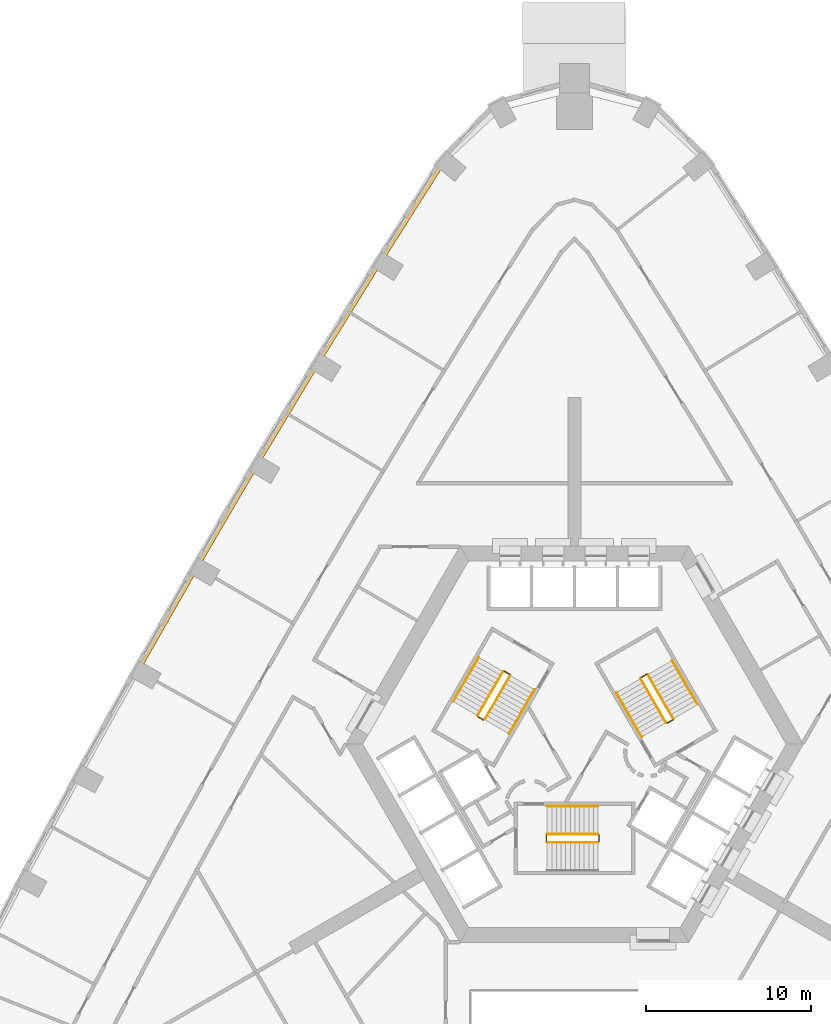
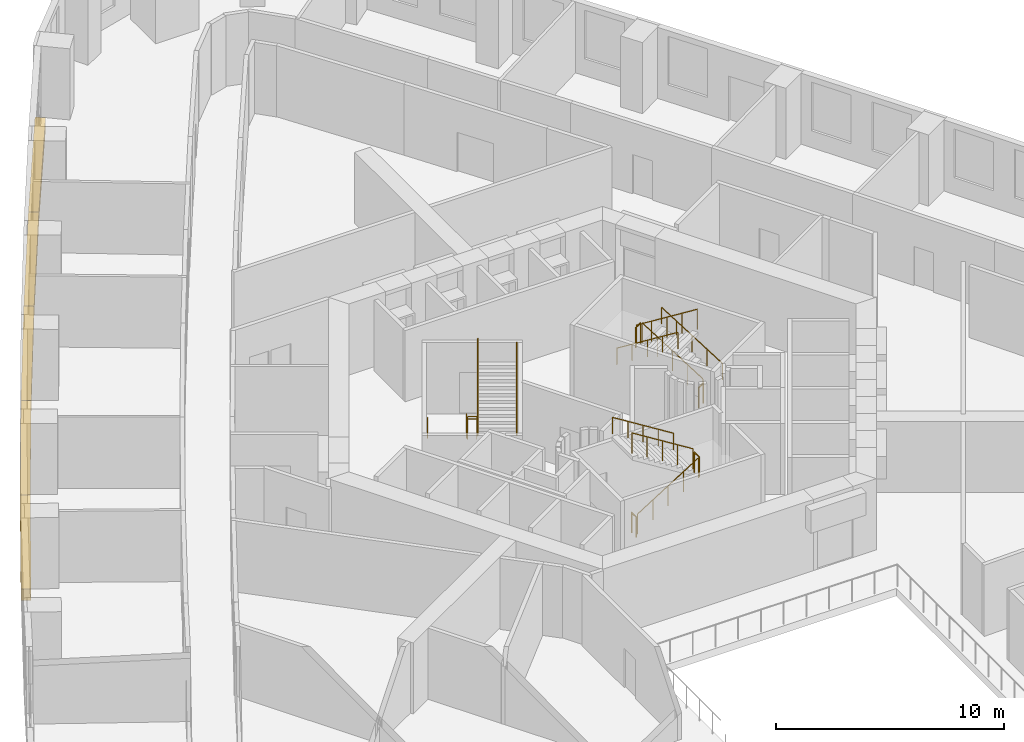
# One storey, part 14 of 15: 17 railings, 5 coverings.
"""IFC4 building model written with IfcOpenShell, lengths in metres."""

from ifc_helpers import new_model, si_unit, direction, frame, origin, origin_2d, place, context, subcontext, project, spatial, polyline, circle, outline, extrude, material, type_object, element, save


model = new_model("IFC4")

# Units and contexts
model_context = context("Model", 3, precision=1e-05, world=origin(), true_north=direction((0.0, 1.0)))
body_context = subcontext(model_context, "Body", "Model", "MODEL_VIEW")
ifc_project = project(units=[si_unit("LENGTHUNIT", "METRE"), si_unit("AREAUNIT", "SQUARE_METRE"), si_unit("VOLUMEUNIT", "CUBIC_METRE"), si_unit("PLANEANGLEUNIT", "RADIAN"), si_unit("MASSUNIT", "GRAM", prefix="KILO")], contexts=[model_context])

# Site, building, storey
site_placement = place(None, origin())
site = spatial("IfcSite", under=ifc_project, at=site_placement, CompositionType="ELEMENT")
building_placement = place(site_placement, origin())
building = spatial("IfcBuilding", under=site, at=building_placement, Name="Entoto Arch Interchange Tower", CompositionType="ELEMENT")
storey_placement = place(building_placement, frame((0.0, 0.0, 99.199951171875)))
storey = spatial("IfcBuildingStorey", under=building, at=storey_placement, Name="L21", CompositionType="ELEMENT", Elevation=99.199951171875)

# Coverings
ifc_material_1 = material(Name="Board-marked precast concrete C50/60", Category="concrete")
covering_type = type_object("IfcCoveringType", Name="PRECAST LEDGE COURSE", PredefinedType="CLADDING", material=ifc_material_1)
covering_1_placement = place(storey_placement, frame((0.0, 0.0, -1.0)))
element("IfcCovering", 1, at=covering_1_placement, inside=storey, type_object=covering_type, Name="Precast course NW-01 L21", PredefinedType="CLADDING", context=body_context, shape_type="SweptSolid", body=[
    extrude(outline(polyline([(-11.653076171875, 31.658935546875), (-12.0458984375, 31.905029296875), (-8.1689453125, 38.044921875), (-7.802001953125, 37.740966796875), (-11.653076171875, 31.658935546875)])), origin(), (0.0, 0.0, 1.0), 0.60009765625),
])
covering_2_placement = place(storey_placement, frame((0.0, 0.0, -1.0)))
element("IfcCovering", 2, at=covering_2_placement, inside=storey, type_object=covering_type, Name="Precast course NW-02 L21", PredefinedType="CLADDING", context=body_context, shape_type="SweptSolid", body=[
    extrude(outline(polyline([(-15.43310546875, 25.532958984375), (-15.822021484375, 25.77001953125), (-12.0458984375, 31.905029296875), (-11.653076171875, 31.658935546875), (-15.43310546875, 25.532958984375)])), origin(), (0.0, 0.0, 1.0), 0.60009765625),
])
covering_3_placement = place(storey_placement, frame((0.0, 0.0, -1.0)))
element("IfcCovering", 3, at=covering_3_placement, inside=storey, type_object=covering_type, Name="Precast course NW-03 L21", PredefinedType="CLADDING", context=body_context, shape_type="SweptSolid", body=[
    extrude(outline(polyline([(-19.14111328125, 19.363037109375), (-19.529052734375, 19.593017578125), (-15.822021484375, 25.77001953125), (-15.43310546875, 25.532958984375), (-19.14111328125, 19.363037109375)])), origin(), (0.0, 0.0, 1.0), 0.60009765625),
])
covering_4_placement = place(storey_placement, frame((0.0, 0.0, -1.0)))
element("IfcCovering", 4, at=covering_4_placement, inside=storey, type_object=covering_type, Name="Precast course NW-04 L21", PredefinedType="CLADDING", context=body_context, shape_type="SweptSolid", body=[
    extrude(outline(polyline([(-22.77587890625, 13.14990234375), (-23.166015625, 13.375), (-19.529052734375, 19.593017578125), (-19.14111328125, 19.363037109375), (-22.77587890625, 13.14990234375)])), origin(), (0.0, 0.0, 1.0), 0.60009765625),
])
covering_5_placement = place(storey_placement, frame((0.0, 0.0, -1.0)))
element("IfcCovering", 5, at=covering_5_placement, inside=storey, type_object=covering_type, Name="Precast course NW-05 L21", PredefinedType="CLADDING", context=body_context, shape_type="SweptSolid", body=[
    extrude(outline(polyline([(-26.339111328125, 6.89501953125), (-26.73291015625, 7.115966796875), (-23.166015625, 13.375), (-22.77587890625, 13.14990234375), (-26.339111328125, 6.89501953125)])), origin(), (0.0, 0.0, 1.0), 0.60009765625),
])

# Railings
ifc_material_2 = material(Name="Stainless steel 1.4301", Category="steel")
railing_type_1 = type_object("IfcRailingType", Name="STAIR GUARD 1100 STEEL", PredefinedType="GUARDRAIL", material=ifc_material_2)
railing_1_placement = place(storey_placement, frame((-1.64990234375, -3.449951171875, 0.175048828125)))
element("IfcRailing", 6, at=railing_1_placement, inside=storey, type_object=railing_type_1, Name="L21 ST-S stair guard 1", PredefinedType="GUARDRAIL", context=body_context, shape_type="SweptSolid", body=[
    extrude(circle(Radius=0.02392578125, at=origin_2d()), frame((0.0, 0.0, 1.076171875), z_axis=(0.847979421464, 0.0, 0.530029150871), x_axis=(0.0, 1.0, 0.0)), (0.0, 0.0, 1.0), 3.632080078125),
    extrude(circle(Radius=0.02099609375, at=origin_2d()), origin(), (0.0, 0.0, 1.0), 1.052001953125),
    extrude(circle(Radius=0.02099609375, at=origin_2d()), frame((0.77001953125, 0.0, 0.481201171875)), (0.0, 0.0, 1.0), 1.052001953125),
    extrude(circle(Radius=0.02099609375, at=origin_2d()), frame((1.5400390625, 0.0, 0.96240234375)), (0.0, 0.0, 1.0), 1.052001953125),
    extrude(circle(Radius=0.02099609375, at=origin_2d()), frame((2.309814453125, 0.0, 1.44384765625)), (0.0, 0.0, 1.0), 1.052001953125),
    extrude(circle(Radius=0.02099609375, at=origin_2d()), frame((3.079833984375, 0.0, 1.925048828125)), (0.0, 0.0, 1.0), 1.052001953125),
])
railing_2_placement = place(storey_placement, frame((1.47998046875, -3.39990234375, 2.10009765625)))
element("IfcRailing", 7, at=railing_2_placement, inside=storey, type_object=railing_type_1, Name="L21 ST-S stair guard 2", PredefinedType="GUARDRAIL", context=body_context, shape_type="SweptSolid", body=[
    extrude(circle(Radius=0.02392578125, at=origin_2d()), frame((0.0, 0.0, 1.076171875), z_axis=(0.0, 1.0, 0.0), x_axis=(-1.0, 0.0, 0.0)), (0.0, 0.0, 1.0), 0.39990234375),
    extrude(circle(Radius=0.02099609375, at=origin_2d()), origin(), (0.0, 0.0, 1.0), 1.052001953125),
    extrude(circle(Radius=0.02099609375, at=origin_2d()), frame((0.0, 0.39990234375, 0.0)), (0.0, 0.0, 1.0), 1.052001953125),
])
railing_3_placement = place(storey_placement, frame((1.429931640625, -2.949951171875, 2.275146484375)))
element("IfcRailing", 8, at=railing_3_placement, inside=storey, type_object=railing_type_1, Name="L21 ST-S stair guard 3", PredefinedType="GUARDRAIL", context=body_context, shape_type="SweptSolid", body=[
    extrude(circle(Radius=0.02392578125, at=origin_2d()), frame((0.0, 0.0, 1.076171875), z_axis=(-0.848009633417, 0.0, 0.529980812513), x_axis=(0.0, -1.0, 0.0)), (0.0, 0.0, 1.0), 3.6318359375),
    extrude(circle(Radius=0.02099609375, at=origin_2d()), origin(), (0.0, 0.0, 1.0), 1.052001953125),
    extrude(circle(Radius=0.02099609375, at=origin_2d()), frame((-0.77001953125, 0.0, 0.481201171875)), (0.0, 0.0, 1.0), 1.052001953125),
    extrude(circle(Radius=0.02099609375, at=origin_2d()), frame((-1.5400390625, 0.0, 0.96240234375)), (0.0, 0.0, 1.0), 1.052001953125),
    extrude(circle(Radius=0.02099609375, at=origin_2d()), frame((-2.309814453125, 0.0, 1.443603515625)), (0.0, 0.0, 1.0), 1.052001953125),
    extrude(circle(Radius=0.02099609375, at=origin_2d()), frame((-3.079833984375, 0.0, 1.9248046875)), (0.0, 0.0, 1.0), 1.052001953125),
])
railing_4_placement = place(storey_placement, frame((-1.699951171875, -3.39990234375, 0.0)))
element("IfcRailing", 9, at=railing_4_placement, inside=storey, type_object=railing_type_1, Name="L21 ST-S stair guard 4", PredefinedType="GUARDRAIL", context=body_context, shape_type="SweptSolid", body=[
    extrude(circle(Radius=0.02392578125, at=origin_2d()), frame((0.0, 0.0, 1.076171875), z_axis=(0.0, 1.0, 0.0), x_axis=(-1.0, 0.0, 0.0)), (0.0, 0.0, 1.0), 0.39990234375),
    extrude(circle(Radius=0.02099609375, at=origin_2d()), origin(), (0.0, 0.0, 1.0), 1.052001953125),
    extrude(circle(Radius=0.02099609375, at=origin_2d()), frame((0.0, 0.39990234375, 0.0)), (0.0, 0.0, 1.0), 1.052001953125),
])
railing_5_placement = place(storey_placement, frame((5.977783203125, 4.046142578125, 0.175048828125)))
element("IfcRailing", 10, at=railing_5_placement, inside=storey, type_object=railing_type_1, Name="L21 ST-NE stair guard 1", PredefinedType="GUARDRAIL", context=body_context, shape_type="SweptSolid", body=[
    extrude(circle(Radius=0.02392578125, at=origin_2d()), frame((0.0, 0.0, 1.076171875), z_axis=(-0.424015404183, 0.734364028329, 0.530019255228), x_axis=(-0.866010015463, -0.500026652407, 0.0)), (0.0, 0.0, 1.0), 3.632080078125),
    extrude(circle(Radius=0.02099609375, at=origin_2d()), origin(), (0.0, 0.0, 1.0), 1.052001953125),
    extrude(circle(Radius=0.02099609375, at=origin_2d()), frame((-0.385009765625, 0.666748046875, 0.481201171875)), (0.0, 0.0, 1.0), 1.052001953125),
    extrude(circle(Radius=0.02099609375, at=origin_2d()), frame((-0.77001953125, 1.33349609375, 0.96240234375)), (0.0, 0.0, 1.0), 1.052001953125),
    extrude(circle(Radius=0.02099609375, at=origin_2d()), frame((-1.155029296875, 2.00048828125, 1.44384765625)), (0.0, 0.0, 1.0), 1.052001953125),
    extrude(circle(Radius=0.02099609375, at=origin_2d()), frame((-1.5400390625, 2.667236328125, 1.925048828125)), (0.0, 0.0, 1.0), 1.052001953125),
])
railing_6_placement = place(storey_placement, frame((4.36962890625, 6.731689453125, 2.10009765625)))
element("IfcRailing", 11, at=railing_6_placement, inside=storey, type_object=railing_type_1, Name="L21 ST-NE stair guard 2", PredefinedType="GUARDRAIL", context=body_context, shape_type="SweptSolid", body=[
    extrude(circle(Radius=0.02392578125, at=origin_2d()), frame((0.0, 0.0, 1.076171875), z_axis=(-0.866094119867, -0.499880961361, 0.0), x_axis=(0.499880961361, -0.866094119867, 0.0)), (0.0, 0.0, 1.0), 0.39990234375),
    extrude(circle(Radius=0.02099609375, at=origin_2d()), origin(), (0.0, 0.0, 1.0), 1.052001953125),
    extrude(circle(Radius=0.02099609375, at=origin_2d()), frame((-0.346435546875, -0.199951171875, 0.0)), (0.0, 0.0, 1.0), 1.052001953125),
])
railing_7_placement = place(storey_placement, frame((4.0048828125, 6.46337890625, 2.275146484375)))
element("IfcRailing", 12, at=railing_7_placement, inside=storey, type_object=railing_type_1, Name="L21 ST-NE stair guard 3", PredefinedType="GUARDRAIL", context=body_context, shape_type="SweptSolid", body=[
    extrude(circle(Radius=0.02392578125, at=origin_2d()), frame((0.0, 0.0, 1.076171875), z_axis=(0.42403051051, -0.734390191396, 0.529970917068), x_axis=(0.866010015463, 0.500026652407, 0.0)), (0.0, 0.0, 1.0), 3.6318359375),
    extrude(circle(Radius=0.02099609375, at=origin_2d()), origin(), (0.0, 0.0, 1.0), 1.052001953125),
    extrude(circle(Radius=0.02099609375, at=origin_2d()), frame((0.385009765625, -0.666748046875, 0.481201171875)), (0.0, 0.0, 1.0), 1.052001953125),
    extrude(circle(Radius=0.02099609375, at=origin_2d()), frame((0.77001953125, -1.33349609375, 0.96240234375)), (0.0, 0.0, 1.0), 1.052001953125),
    extrude(circle(Radius=0.02099609375, at=origin_2d()), frame((1.155029296875, -2.00048828125, 1.443603515625)), (0.0, 0.0, 1.0), 1.052001953125),
    extrude(circle(Radius=0.02099609375, at=origin_2d()), frame((1.5400390625, -2.667236328125, 1.9248046875)), (0.0, 0.0, 1.0), 1.052001953125),
])
railing_8_placement = place(storey_placement, frame((5.95947265625, 3.977783203125, 0.0)))
element("IfcRailing", 13, at=railing_8_placement, inside=storey, type_object=railing_type_1, Name="L21 ST-NE stair guard 4", PredefinedType="GUARDRAIL", context=body_context, shape_type="SweptSolid", body=[
    extrude(circle(Radius=0.02392578125, at=origin_2d()), frame((0.0, 0.0, 1.076171875), z_axis=(-0.866094119867, -0.499880961361, 0.0), x_axis=(0.499880961361, -0.866094119867, 0.0)), (0.0, 0.0, 1.0), 0.39990234375),
    extrude(circle(Radius=0.02099609375, at=origin_2d()), origin(), (0.0, 0.0, 1.0), 1.052001953125),
    extrude(circle(Radius=0.02099609375, at=origin_2d()), frame((-0.346435546875, -0.199951171875, 0.0)), (0.0, 0.0, 1.0), 1.052001953125),
])
railing_9_placement = place(storey_placement, frame((-4.327880859375, 6.904052734375, 0.175048828125)))
element("IfcRailing", 14, at=railing_9_placement, inside=storey, type_object=railing_type_1, Name="L21 ST-NW stair guard 1", PredefinedType="GUARDRAIL", context=body_context, shape_type="SweptSolid", body=[
    extrude(circle(Radius=0.02392578125, at=origin_2d()), frame((0.0, 0.0, 1.076171875), z_axis=(-0.423994474112, -0.734394994316, 0.52999309264), x_axis=(0.866029832698, -0.499992328818, 0.0)), (0.0, 0.0, 1.0), 3.63232421875),
    extrude(circle(Radius=0.02099609375, at=origin_2d()), origin(), (0.0, 0.0, 1.0), 1.052001953125),
    extrude(circle(Radius=0.02099609375, at=origin_2d()), frame((-0.385009765625, -0.6669921875, 0.481201171875)), (0.0, 0.0, 1.0), 1.052001953125),
    extrude(circle(Radius=0.02099609375, at=origin_2d()), frame((-0.77001953125, -1.333740234375, 0.96240234375)), (0.0, 0.0, 1.0), 1.052001953125),
    extrude(circle(Radius=0.02099609375, at=origin_2d()), frame((-1.155029296875, -2.00048828125, 1.44384765625)), (0.0, 0.0, 1.0), 1.052001953125),
    extrude(circle(Radius=0.02099609375, at=origin_2d()), frame((-1.5400390625, -2.66748046875, 1.925048828125)), (0.0, 0.0, 1.0), 1.052001953125),
])
railing_10_placement = place(storey_placement, frame((-5.849609375, 4.168212890625, 2.10009765625)))
element("IfcRailing", 15, at=railing_10_placement, inside=storey, type_object=railing_type_1, Name="L21 ST-NW stair guard 2", PredefinedType="GUARDRAIL", context=body_context, shape_type="SweptSolid", body=[
    extrude(circle(Radius=0.02392578125, at=origin_2d()), frame((0.0, 0.0, 1.076171875), z_axis=(0.866094119867, -0.499880961361, 0.0), x_axis=(0.499880961361, 0.866094119867, 0.0)), (0.0, 0.0, 1.0), 0.39990234375),
    extrude(circle(Radius=0.02099609375, at=origin_2d()), origin(), (0.0, 0.0, 1.0), 1.052001953125),
    extrude(circle(Radius=0.02099609375, at=origin_2d()), frame((0.346435546875, -0.199951171875, 0.0)), (0.0, 0.0, 1.0), 1.052001953125),
])
railing_11_placement = place(storey_placement, frame((-5.434814453125, 3.986572265625, 2.275146484375)))
element("IfcRailing", 16, at=railing_11_placement, inside=storey, type_object=railing_type_1, Name="L21 ST-NW stair guard 3", PredefinedType="GUARDRAIL", context=body_context, shape_type="SweptSolid", body=[
    extrude(circle(Radius=0.02392578125, at=origin_2d()), frame((0.0, 0.0, 1.076171875), z_axis=(0.424009578203, 0.734421155904, 0.529944755001), x_axis=(-0.866029832698, 0.499992328818, 0.0)), (0.0, 0.0, 1.0), 3.632080078125),
    extrude(circle(Radius=0.02099609375, at=origin_2d()), origin(), (0.0, 0.0, 1.0), 1.052001953125),
    extrude(circle(Radius=0.02099609375, at=origin_2d()), frame((0.385009765625, 0.6669921875, 0.481201171875)), (0.0, 0.0, 1.0), 1.052001953125),
    extrude(circle(Radius=0.02099609375, at=origin_2d()), frame((0.77001953125, 1.333740234375, 0.96240234375)), (0.0, 0.0, 1.0), 1.052001953125),
    extrude(circle(Radius=0.02099609375, at=origin_2d()), frame((1.155029296875, 2.00048828125, 1.443603515625)), (0.0, 0.0, 1.0), 1.052001953125),
    extrude(circle(Radius=0.02099609375, at=origin_2d()), frame((1.5400390625, 2.66748046875, 1.9248046875)), (0.0, 0.0, 1.0), 1.052001953125),
])
railing_12_placement = place(storey_placement, frame((-4.259521484375, 6.92236328125, 0.0)))
element("IfcRailing", 17, at=railing_12_placement, inside=storey, type_object=railing_type_1, Name="L21 ST-NW stair guard 4", PredefinedType="GUARDRAIL", context=body_context, shape_type="SweptSolid", body=[
    extrude(circle(Radius=0.02392578125, at=origin_2d()), frame((0.0, 0.0, 1.076171875), z_axis=(0.865829829939, -0.500338590944, 0.0), x_axis=(0.500338590944, 0.865829829939, 0.0)), (0.0, 0.0, 1.0), 0.400146484375),
    extrude(circle(Radius=0.02099609375, at=origin_2d()), origin(), (0.0, 0.0, 1.0), 1.052001953125),
    extrude(circle(Radius=0.02099609375, at=origin_2d()), frame((0.346435546875, -0.2001953125, 0.0)), (0.0, 0.0, 1.0), 1.052001953125),
])
railing_type_2 = type_object("IfcRailingType", Name="STAIR HANDRAIL 900 STEEL", PredefinedType="HANDRAIL", material=ifc_material_2)
railing_13_placement = place(storey_placement, frame((1.429931640625, -1.25, 2.275146484375)))
element("IfcRailing", 18, at=railing_13_placement, inside=storey, type_object=railing_type_2, Name="L21 ST-S stair handrail 2", PredefinedType="HANDRAIL", context=body_context, shape_type="SweptSolid", body=[
    extrude(circle(Radius=0.02392578125, at=origin_2d()), frame((0.0, 0.0, 0.8759765625), z_axis=(-0.848009633417, 0.0, 0.529980812513), x_axis=(0.0, -1.0, 0.0)), (0.0, 0.0, 1.0), 3.6318359375),
    extrude(circle(Radius=0.02099609375, at=origin_2d()), origin(), (0.0, 0.0, 1.0), 0.851806640625),
    extrude(circle(Radius=0.02099609375, at=origin_2d()), frame((-0.77001953125, 0.0, 0.481201171875)), (0.0, 0.0, 1.0), 0.851806640625),
    extrude(circle(Radius=0.02099609375, at=origin_2d()), frame((-1.5400390625, 0.0, 0.96240234375)), (0.0, 0.0, 1.0), 0.851806640625),
    extrude(circle(Radius=0.02099609375, at=origin_2d()), frame((-2.309814453125, 0.0, 1.443603515625)), (0.0, 0.0, 1.0), 0.851806640625),
    extrude(circle(Radius=0.02099609375, at=origin_2d()), frame((-3.079833984375, 0.0, 1.9248046875)), (0.0, 0.0, 1.0), 0.851806640625),
])
railing_14_placement = place(storey_placement, frame((7.4501953125, 4.89599609375, 0.175048828125)))
element("IfcRailing", 19, at=railing_14_placement, inside=storey, type_object=railing_type_2, Name="L21 ST-NE stair handrail 1", PredefinedType="HANDRAIL", context=body_context, shape_type="SweptSolid", body=[
    extrude(circle(Radius=0.02392578125, at=origin_2d()), frame((0.0, 0.0, 0.8759765625), z_axis=(-0.423994474112, 0.734394994316, 0.52999309264), x_axis=(-0.866029832698, -0.499992328818, 0.0)), (0.0, 0.0, 1.0), 3.63232421875),
    extrude(circle(Radius=0.02099609375, at=origin_2d()), origin(), (0.0, 0.0, 1.0), 0.851806640625),
    extrude(circle(Radius=0.02099609375, at=origin_2d()), frame((-0.385009765625, 0.6669921875, 0.481201171875)), (0.0, 0.0, 1.0), 0.851806640625),
    extrude(circle(Radius=0.02099609375, at=origin_2d()), frame((-0.77001953125, 1.333740234375, 0.96240234375)), (0.0, 0.0, 1.0), 0.851806640625),
    extrude(circle(Radius=0.02099609375, at=origin_2d()), frame((-1.155029296875, 2.00048828125, 1.44384765625)), (0.0, 0.0, 1.0), 0.851806640625),
    extrude(circle(Radius=0.02099609375, at=origin_2d()), frame((-1.5400390625, 2.66748046875, 1.925048828125)), (0.0, 0.0, 1.0), 0.851806640625),
])
railing_15_placement = place(storey_placement, frame((2.53271484375, 5.613525390625, 2.275146484375)))
element("IfcRailing", 20, at=railing_15_placement, inside=storey, type_object=railing_type_2, Name="L21 ST-NE stair handrail 2", PredefinedType="HANDRAIL", context=body_context, shape_type="SweptSolid", body=[
    extrude(circle(Radius=0.02392578125, at=origin_2d()), frame((0.0, 0.0, 0.8759765625), z_axis=(0.423954442778, -0.734442086855, 0.52995985839), x_axis=(0.866064153644, 0.499932877268, 0.0)), (0.0, 0.0, 1.0), 3.632080078125),
    extrude(circle(Radius=0.02099609375, at=origin_2d()), origin(), (0.0, 0.0, 1.0), 0.851806640625),
    extrude(circle(Radius=0.02099609375, at=origin_2d()), frame((0.385009765625, -0.6669921875, 0.481201171875)), (0.0, 0.0, 1.0), 0.851806640625),
    extrude(circle(Radius=0.02099609375, at=origin_2d()), frame((0.77001953125, -1.333740234375, 0.96240234375)), (0.0, 0.0, 1.0), 0.851806640625),
    extrude(circle(Radius=0.02099609375, at=origin_2d()), frame((1.15478515625, -2.00048828125, 1.443603515625)), (0.0, 0.0, 1.0), 0.851806640625),
    extrude(circle(Radius=0.02099609375, at=origin_2d()), frame((1.539794921875, -2.66748046875, 1.9248046875)), (0.0, 0.0, 1.0), 0.851806640625),
])
railing_16_placement = place(storey_placement, frame((-5.800048828125, 7.75390625, 0.175048828125)))
element("IfcRailing", 21, at=railing_16_placement, inside=storey, type_object=railing_type_2, Name="L21 ST-NW stair handrail 1", PredefinedType="HANDRAIL", context=body_context, shape_type="SweptSolid", body=[
    extrude(circle(Radius=0.02392578125, at=origin_2d()), frame((0.0, 0.0, 0.8759765625), z_axis=(-0.424015404183, -0.734364028329, 0.530019255228), x_axis=(0.866010015463, -0.500026652407, 0.0)), (0.0, 0.0, 1.0), 3.632080078125),
    extrude(circle(Radius=0.02099609375, at=origin_2d()), origin(), (0.0, 0.0, 1.0), 0.851806640625),
    extrude(circle(Radius=0.02099609375, at=origin_2d()), frame((-0.385009765625, -0.666748046875, 0.481201171875)), (0.0, 0.0, 1.0), 0.851806640625),
    extrude(circle(Radius=0.02099609375, at=origin_2d()), frame((-0.77001953125, -1.33349609375, 0.96240234375)), (0.0, 0.0, 1.0), 0.851806640625),
    extrude(circle(Radius=0.02099609375, at=origin_2d()), frame((-1.155029296875, -2.00048828125, 1.44384765625)), (0.0, 0.0, 1.0), 0.851806640625),
    extrude(circle(Radius=0.02099609375, at=origin_2d()), frame((-1.5400390625, -2.667236328125, 1.925048828125)), (0.0, 0.0, 1.0), 0.851806640625),
])
railing_17_placement = place(storey_placement, frame((-3.962646484375, 3.136474609375, 2.275146484375)))
element("IfcRailing", 22, at=railing_17_placement, inside=storey, type_object=railing_type_2, Name="L21 ST-NW stair handrail 2", PredefinedType="HANDRAIL", context=body_context, shape_type="SweptSolid", body=[
    extrude(circle(Radius=0.02392578125, at=origin_2d()), frame((0.0, 0.0, 0.8759765625), z_axis=(0.424009578203, 0.734421155904, 0.529944755001), x_axis=(-0.866029832698, 0.499992328818, 0.0)), (0.0, 0.0, 1.0), 3.632080078125),
    extrude(circle(Radius=0.02099609375, at=origin_2d()), origin(), (0.0, 0.0, 1.0), 0.851806640625),
    extrude(circle(Radius=0.02099609375, at=origin_2d()), frame((0.385009765625, 0.6669921875, 0.481201171875)), (0.0, 0.0, 1.0), 0.851806640625),
    extrude(circle(Radius=0.02099609375, at=origin_2d()), frame((0.77001953125, 1.333740234375, 0.96240234375)), (0.0, 0.0, 1.0), 0.851806640625),
    extrude(circle(Radius=0.02099609375, at=origin_2d()), frame((1.155029296875, 2.00048828125, 1.443603515625)), (0.0, 0.0, 1.0), 0.851806640625),
    extrude(circle(Radius=0.02099609375, at=origin_2d()), frame((1.5400390625, 2.66748046875, 1.9248046875)), (0.0, 0.0, 1.0), 0.851806640625),
])

save(model, "model.ifc")
